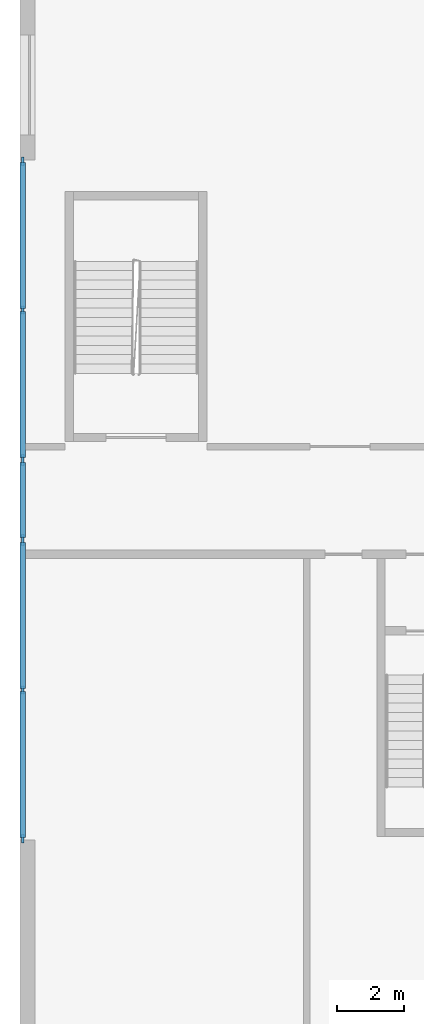
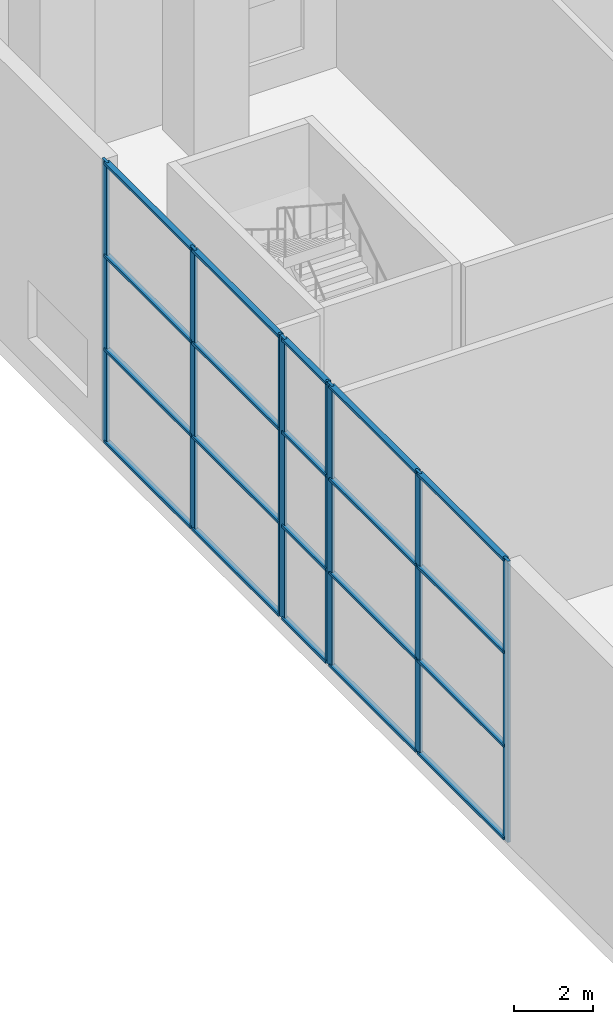
# One storey, part 2 of 24: 28 members, 3 elements without a shape of their own.
"""IFC4 building model written with IfcOpenShell, lengths in metres."""

from ifc_helpers import new_model, si_unit, direction, frame, origin, origin_2d, place, context, subcontext, project, spatial, rectangle, extrude, material, material_profile, profile_set, type_object, element, aggregate, save


model = new_model("IFC4")

# Units and contexts
model_context = context("Model", 3, precision=1e-05, world=origin(), true_north=direction((0.0, 1.0)))
body_context = subcontext(model_context, "Body", "Model", "MODEL_VIEW")
ifc_project = project(units=[si_unit("LENGTHUNIT", "METRE"), si_unit("AREAUNIT", "SQUARE_METRE"), si_unit("VOLUMEUNIT", "CUBIC_METRE"), si_unit("PLANEANGLEUNIT", "RADIAN"), si_unit("MASSUNIT", "GRAM", prefix="KILO")], contexts=[model_context])

# Site, building, storey
site_placement = place(None, origin())
site = spatial("IfcSite", under=ifc_project, at=site_placement, CompositionType="ELEMENT")
building_placement = place(site_placement, origin())
building = spatial("IfcBuilding", under=site, at=building_placement, Name="Kajstack Hotel Tower", CompositionType="ELEMENT")
storey_placement = place(building_placement, frame((0.0, 0.0, 38.0)))
storey = spatial("IfcBuildingStorey", under=building, at=storey_placement, Name="L06", CompositionType="ELEMENT", Elevation=38.0)

# Curtain wall, members
ifc_material_1 = material(Name="Aluminium-framed curtain wall, acoustic laminated glass", Category="aluminium")
curtain_wall_type = type_object("IfcCurtainWallType", Name="CW-BALL", PredefinedType="NOTDEFINED", material=ifc_material_1)
curtain_wall_1_placement = place(storey_placement, origin())
curtain_wall_1 = element("IfcCurtainWall", 1, at=curtain_wall_1_placement, inside=storey, type_object=curtain_wall_type, Name="Curtain wall CU5 L06-15-01-0", PredefinedType="NOTDEFINED")
ifc_material_2 = material(Name="Aluminium", Category="aluminium")
ifc_material_profile_1 = material_profile(ifc_material_2, rectangle(XDim=0.080078125, YDim=0.25, at=origin_2d()), Name="Aluminium mullion 80 x 250")
ifc_profile_set_1 = profile_set([ifc_material_profile_1], Name="Aluminium")
member_type_1 = type_object("IfcMemberType", Name="CW-M-BALL", PredefinedType="MULLION", material=ifc_profile_set_1)
member_1_placement = place(storey_placement, frame((-44.925048828125, 10.159912109375, 0.0), z_axis=(0.0, 0.0, 1.0), x_axis=(1.0, 0.0, 0.0)))
member_1 = element("IfcMember", 2, at=member_1_placement, type_object=member_type_1, Name="CU5 mullion 1", PredefinedType="MULLION", context=body_context, shape_type="SweptSolid", body=[
    extrude(rectangle(XDim=0.080078125, YDim=0.25, at=origin_2d()), origin(), (0.0, 0.0, 1.0), 8.699951171875),
])
member_2_placement = place(storey_placement, frame((-44.925048828125, 5.699951171875, 0.0), z_axis=(0.0, 0.0, 1.0), x_axis=(1.0, 0.0, 0.0)))
member_2 = element("IfcMember", 3, at=member_2_placement, type_object=member_type_1, Name="CU5 mullion 2", PredefinedType="MULLION", context=body_context, shape_type="SweptSolid", body=[
    extrude(rectangle(XDim=0.080078125, YDim=0.25, at=origin_2d()), origin(), (0.0, 0.0, 1.0), 8.699951171875),
])
member_3_placement = place(storey_placement, frame((-44.925048828125, 1.239990234375, 0.0), z_axis=(0.0, 0.0, 1.0), x_axis=(1.0, 0.0, 0.0)))
member_3 = element("IfcMember", 4, at=member_3_placement, type_object=member_type_1, Name="CU5 mullion 3", PredefinedType="MULLION", context=body_context, shape_type="SweptSolid", body=[
    extrude(rectangle(XDim=0.080078125, YDim=0.25, at=origin_2d()), origin(), (0.0, 0.0, 1.0), 8.699951171875),
])

curtain_wall_2_placement = place(storey_placement, origin())
curtain_wall_2 = element("IfcCurtainWall", 5, at=curtain_wall_2_placement, inside=storey, type_object=curtain_wall_type, Name="Curtain wall CU5 L06-15-01-1", PredefinedType="NOTDEFINED")
member_4_placement = place(storey_placement, frame((-44.925048828125, 1.159912109375, 0.0), z_axis=(0.0, 0.0, 1.0), x_axis=(1.0, 0.0, 0.0)))
member_4 = element("IfcMember", 6, at=member_4_placement, type_object=member_type_1, Name="CU5 mullion 1", PredefinedType="MULLION", context=body_context, shape_type="SweptSolid", body=[
    extrude(rectangle(XDim=0.080078125, YDim=0.25, at=origin_2d()), origin(), (0.0, 0.0, 1.0), 8.699951171875),
])
member_5_placement = place(storey_placement, frame((-44.925048828125, -1.159912109375, 0.0), z_axis=(0.0, 0.0, 1.0), x_axis=(1.0, 0.0, 0.0)))
member_5 = element("IfcMember", 7, at=member_5_placement, type_object=member_type_1, Name="CU5 mullion 2", PredefinedType="MULLION", context=body_context, shape_type="SweptSolid", body=[
    extrude(rectangle(XDim=0.080078125, YDim=0.25, at=origin_2d()), origin(), (0.0, 0.0, 1.0), 8.699951171875),
])

curtain_wall_3_placement = place(storey_placement, origin())
curtain_wall_3 = element("IfcCurtainWall", 8, at=curtain_wall_3_placement, inside=storey, type_object=curtain_wall_type, Name="Curtain wall CU5 L06-15-01-2", PredefinedType="NOTDEFINED")
member_6_placement = place(storey_placement, frame((-44.925048828125, -1.239990234375, 0.0), z_axis=(0.0, 0.0, 1.0), x_axis=(1.0, 0.0, 0.0)))
member_6 = element("IfcMember", 9, at=member_6_placement, type_object=member_type_1, Name="CU5 mullion 1", PredefinedType="MULLION", context=body_context, shape_type="SweptSolid", body=[
    extrude(rectangle(XDim=0.080078125, YDim=0.25, at=origin_2d()), origin(), (0.0, 0.0, 1.0), 8.699951171875),
])
member_7_placement = place(storey_placement, frame((-44.925048828125, -5.699951171875, 0.0), z_axis=(0.0, 0.0, 1.0), x_axis=(1.0, 0.0, 0.0)))
member_7 = element("IfcMember", 10, at=member_7_placement, type_object=member_type_1, Name="CU5 mullion 2", PredefinedType="MULLION", context=body_context, shape_type="SweptSolid", body=[
    extrude(rectangle(XDim=0.080078125, YDim=0.25, at=origin_2d()), origin(), (0.0, 0.0, 1.0), 8.699951171875),
])
member_8_placement = place(storey_placement, frame((-44.925048828125, -10.159912109375, 0.0), z_axis=(0.0, 0.0, 1.0), x_axis=(1.0, 0.0, 0.0)))
member_8 = element("IfcMember", 11, at=member_8_placement, type_object=member_type_1, Name="CU5 mullion 3", PredefinedType="MULLION", context=body_context, shape_type="SweptSolid", body=[
    extrude(rectangle(XDim=0.080078125, YDim=0.25, at=origin_2d()), origin(), (0.0, 0.0, 1.0), 8.699951171875),
])

# Member
ifc_material_profile_2 = material_profile(ifc_material_2, rectangle(XDim=0.159912109375, YDim=0.080078125, at=origin_2d()), Name="Aluminium transom 160 x 80")
ifc_profile_set_2 = profile_set([ifc_material_profile_2], Name="Aluminium")
member_type_2 = type_object("IfcMemberType", Name="CW-T-BALL", PredefinedType="USERDEFINED", material=ifc_profile_set_2)
member_9_placement = place(storey_placement, frame((-44.925048828125, 10.1201171875, 0.0400390625), z_axis=(0.0, -1.0, 0.0), x_axis=(1.0, 0.0, 0.0)))
member_9 = element("IfcMember", 12, at=member_9_placement, type_object=member_type_2, Name="CU5 transom 1.1", ObjectType="TRANSOM", PredefinedType="USERDEFINED", context=body_context, shape_type="SweptSolid", body=[
    extrude(rectangle(XDim=0.159912109375, YDim=0.080078125, at=origin_2d()), origin(), (0.0, 0.0, 1.0), 4.380126953125),
])

member_10_placement = place(storey_placement, frame((-44.925048828125, 10.1201171875, 2.89990234375), z_axis=(0.0, -1.0, 0.0), x_axis=(1.0, 0.0, 0.0)))
member_10 = element("IfcMember", 13, at=member_10_placement, type_object=member_type_2, Name="CU5 transom 1.2", ObjectType="TRANSOM", PredefinedType="USERDEFINED", context=body_context, shape_type="SweptSolid", body=[
    extrude(rectangle(XDim=0.159912109375, YDim=0.080078125, at=origin_2d()), origin(), (0.0, 0.0, 1.0), 4.380126953125),
])

member_11_placement = place(storey_placement, frame((-44.925048828125, 10.1201171875, 5.800048828125), z_axis=(0.0, -1.0, 0.0), x_axis=(1.0, 0.0, 0.0)))
member_11 = element("IfcMember", 14, at=member_11_placement, type_object=member_type_2, Name="CU5 transom 1.3", ObjectType="TRANSOM", PredefinedType="USERDEFINED", context=body_context, shape_type="SweptSolid", body=[
    extrude(rectangle(XDim=0.159912109375, YDim=0.080078125, at=origin_2d()), origin(), (0.0, 0.0, 1.0), 4.380126953125),
])

member_12_placement = place(storey_placement, frame((-44.925048828125, 10.1201171875, 8.659912109375), z_axis=(0.0, -1.0, 0.0), x_axis=(1.0, 0.0, 0.0)))
member_12 = element("IfcMember", 15, at=member_12_placement, type_object=member_type_2, Name="CU5 transom 1.4", ObjectType="TRANSOM", PredefinedType="USERDEFINED", context=body_context, shape_type="SweptSolid", body=[
    extrude(rectangle(XDim=0.159912109375, YDim=0.080078125, at=origin_2d()), origin(), (0.0, 0.0, 1.0), 4.380126953125),
])

member_13_placement = place(storey_placement, frame((-44.925048828125, 5.659912109375, 0.0400390625), z_axis=(0.0, -1.0, 0.0), x_axis=(1.0, 0.0, 0.0)))
member_13 = element("IfcMember", 16, at=member_13_placement, type_object=member_type_2, Name="CU5 transom 2.1", ObjectType="TRANSOM", PredefinedType="USERDEFINED", context=body_context, shape_type="SweptSolid", body=[
    extrude(rectangle(XDim=0.159912109375, YDim=0.080078125, at=origin_2d()), origin(), (0.0, 0.0, 1.0), 4.3798828125),
])

member_14_placement = place(storey_placement, frame((-44.925048828125, 5.659912109375, 2.89990234375), z_axis=(0.0, -1.0, 0.0), x_axis=(1.0, 0.0, 0.0)))
member_14 = element("IfcMember", 17, at=member_14_placement, type_object=member_type_2, Name="CU5 transom 2.2", ObjectType="TRANSOM", PredefinedType="USERDEFINED", context=body_context, shape_type="SweptSolid", body=[
    extrude(rectangle(XDim=0.159912109375, YDim=0.080078125, at=origin_2d()), origin(), (0.0, 0.0, 1.0), 4.3798828125),
])

member_15_placement = place(storey_placement, frame((-44.925048828125, 5.659912109375, 5.800048828125), z_axis=(0.0, -1.0, 0.0), x_axis=(1.0, 0.0, 0.0)))
member_15 = element("IfcMember", 18, at=member_15_placement, type_object=member_type_2, Name="CU5 transom 2.3", ObjectType="TRANSOM", PredefinedType="USERDEFINED", context=body_context, shape_type="SweptSolid", body=[
    extrude(rectangle(XDim=0.159912109375, YDim=0.080078125, at=origin_2d()), origin(), (0.0, 0.0, 1.0), 4.3798828125),
])

member_16_placement = place(storey_placement, frame((-44.925048828125, 5.659912109375, 8.659912109375), z_axis=(0.0, -1.0, 0.0), x_axis=(1.0, 0.0, 0.0)))
member_16 = element("IfcMember", 19, at=member_16_placement, type_object=member_type_2, Name="CU5 transom 2.4", ObjectType="TRANSOM", PredefinedType="USERDEFINED", context=body_context, shape_type="SweptSolid", body=[
    extrude(rectangle(XDim=0.159912109375, YDim=0.080078125, at=origin_2d()), origin(), (0.0, 0.0, 1.0), 4.3798828125),
])

aggregate(curtain_wall_1, [member_1, member_2, member_3, member_9, member_10, member_11, member_12, member_13, member_14, member_15, member_16])

member_17_placement = place(storey_placement, frame((-44.925048828125, 1.1201171875, 0.0400390625), z_axis=(0.0, -1.0, 0.0), x_axis=(1.0, 0.0, 0.0)))
member_17 = element("IfcMember", 20, at=member_17_placement, type_object=member_type_2, Name="CU5 transom 1.1", ObjectType="TRANSOM", PredefinedType="USERDEFINED", context=body_context, shape_type="SweptSolid", body=[
    extrude(rectangle(XDim=0.159912109375, YDim=0.080078125, at=origin_2d()), origin(), (0.0, 0.0, 1.0), 2.240234375),
])

member_18_placement = place(storey_placement, frame((-44.925048828125, 1.1201171875, 2.89990234375), z_axis=(0.0, -1.0, 0.0), x_axis=(1.0, 0.0, 0.0)))
member_18 = element("IfcMember", 21, at=member_18_placement, type_object=member_type_2, Name="CU5 transom 1.2", ObjectType="TRANSOM", PredefinedType="USERDEFINED", context=body_context, shape_type="SweptSolid", body=[
    extrude(rectangle(XDim=0.159912109375, YDim=0.080078125, at=origin_2d()), origin(), (0.0, 0.0, 1.0), 2.240234375),
])

member_19_placement = place(storey_placement, frame((-44.925048828125, 1.1201171875, 5.800048828125), z_axis=(0.0, -1.0, 0.0), x_axis=(1.0, 0.0, 0.0)))
member_19 = element("IfcMember", 22, at=member_19_placement, type_object=member_type_2, Name="CU5 transom 1.3", ObjectType="TRANSOM", PredefinedType="USERDEFINED", context=body_context, shape_type="SweptSolid", body=[
    extrude(rectangle(XDim=0.159912109375, YDim=0.080078125, at=origin_2d()), origin(), (0.0, 0.0, 1.0), 2.240234375),
])

member_20_placement = place(storey_placement, frame((-44.925048828125, 1.1201171875, 8.659912109375), z_axis=(0.0, -1.0, 0.0), x_axis=(1.0, 0.0, 0.0)))
member_20 = element("IfcMember", 23, at=member_20_placement, type_object=member_type_2, Name="CU5 transom 1.4", ObjectType="TRANSOM", PredefinedType="USERDEFINED", context=body_context, shape_type="SweptSolid", body=[
    extrude(rectangle(XDim=0.159912109375, YDim=0.080078125, at=origin_2d()), origin(), (0.0, 0.0, 1.0), 2.240234375),
])

aggregate(curtain_wall_2, [member_4, member_5, member_17, member_18, member_19, member_20])

member_21_placement = place(storey_placement, frame((-44.925048828125, -1.280029296875, 0.0400390625), z_axis=(0.0, -1.0, 0.0), x_axis=(1.0, 0.0, 0.0)))
member_21 = element("IfcMember", 24, at=member_21_placement, type_object=member_type_2, Name="CU5 transom 1.1", ObjectType="TRANSOM", PredefinedType="USERDEFINED", context=body_context, shape_type="SweptSolid", body=[
    extrude(rectangle(XDim=0.159912109375, YDim=0.080078125, at=origin_2d()), origin(), (0.0, 0.0, 1.0), 4.3798828125),
])

member_22_placement = place(storey_placement, frame((-44.925048828125, -1.280029296875, 2.89990234375), z_axis=(0.0, -1.0, 0.0), x_axis=(1.0, 0.0, 0.0)))
member_22 = element("IfcMember", 25, at=member_22_placement, type_object=member_type_2, Name="CU5 transom 1.2", ObjectType="TRANSOM", PredefinedType="USERDEFINED", context=body_context, shape_type="SweptSolid", body=[
    extrude(rectangle(XDim=0.159912109375, YDim=0.080078125, at=origin_2d()), origin(), (0.0, 0.0, 1.0), 4.3798828125),
])

member_23_placement = place(storey_placement, frame((-44.925048828125, -1.280029296875, 5.800048828125), z_axis=(0.0, -1.0, 0.0), x_axis=(1.0, 0.0, 0.0)))
member_23 = element("IfcMember", 26, at=member_23_placement, type_object=member_type_2, Name="CU5 transom 1.3", ObjectType="TRANSOM", PredefinedType="USERDEFINED", context=body_context, shape_type="SweptSolid", body=[
    extrude(rectangle(XDim=0.159912109375, YDim=0.080078125, at=origin_2d()), origin(), (0.0, 0.0, 1.0), 4.3798828125),
])

member_24_placement = place(storey_placement, frame((-44.925048828125, -1.280029296875, 8.659912109375), z_axis=(0.0, -1.0, 0.0), x_axis=(1.0, 0.0, 0.0)))
member_24 = element("IfcMember", 27, at=member_24_placement, type_object=member_type_2, Name="CU5 transom 1.4", ObjectType="TRANSOM", PredefinedType="USERDEFINED", context=body_context, shape_type="SweptSolid", body=[
    extrude(rectangle(XDim=0.159912109375, YDim=0.080078125, at=origin_2d()), origin(), (0.0, 0.0, 1.0), 4.3798828125),
])

member_25_placement = place(storey_placement, frame((-44.925048828125, -5.739990234375, 0.0400390625), z_axis=(0.0, -1.0, 0.0), x_axis=(1.0, 0.0, 0.0)))
member_25 = element("IfcMember", 28, at=member_25_placement, type_object=member_type_2, Name="CU5 transom 2.1", ObjectType="TRANSOM", PredefinedType="USERDEFINED", context=body_context, shape_type="SweptSolid", body=[
    extrude(rectangle(XDim=0.159912109375, YDim=0.080078125, at=origin_2d()), origin(), (0.0, 0.0, 1.0), 4.380126953125),
])

member_26_placement = place(storey_placement, frame((-44.925048828125, -5.739990234375, 2.89990234375), z_axis=(0.0, -1.0, 0.0), x_axis=(1.0, 0.0, 0.0)))
member_26 = element("IfcMember", 29, at=member_26_placement, type_object=member_type_2, Name="CU5 transom 2.2", ObjectType="TRANSOM", PredefinedType="USERDEFINED", context=body_context, shape_type="SweptSolid", body=[
    extrude(rectangle(XDim=0.159912109375, YDim=0.080078125, at=origin_2d()), origin(), (0.0, 0.0, 1.0), 4.380126953125),
])

member_27_placement = place(storey_placement, frame((-44.925048828125, -5.739990234375, 5.800048828125), z_axis=(0.0, -1.0, 0.0), x_axis=(1.0, 0.0, 0.0)))
member_27 = element("IfcMember", 30, at=member_27_placement, type_object=member_type_2, Name="CU5 transom 2.3", ObjectType="TRANSOM", PredefinedType="USERDEFINED", context=body_context, shape_type="SweptSolid", body=[
    extrude(rectangle(XDim=0.159912109375, YDim=0.080078125, at=origin_2d()), origin(), (0.0, 0.0, 1.0), 4.380126953125),
])

member_28_placement = place(storey_placement, frame((-44.925048828125, -5.739990234375, 8.659912109375), z_axis=(0.0, -1.0, 0.0), x_axis=(1.0, 0.0, 0.0)))
member_28 = element("IfcMember", 31, at=member_28_placement, type_object=member_type_2, Name="CU5 transom 2.4", ObjectType="TRANSOM", PredefinedType="USERDEFINED", context=body_context, shape_type="SweptSolid", body=[
    extrude(rectangle(XDim=0.159912109375, YDim=0.080078125, at=origin_2d()), origin(), (0.0, 0.0, 1.0), 4.380126953125),
])

aggregate(curtain_wall_3, [member_6, member_7, member_8, member_21, member_22, member_23, member_24, member_25, member_26, member_27, member_28])

save(model, "model.ifc")
